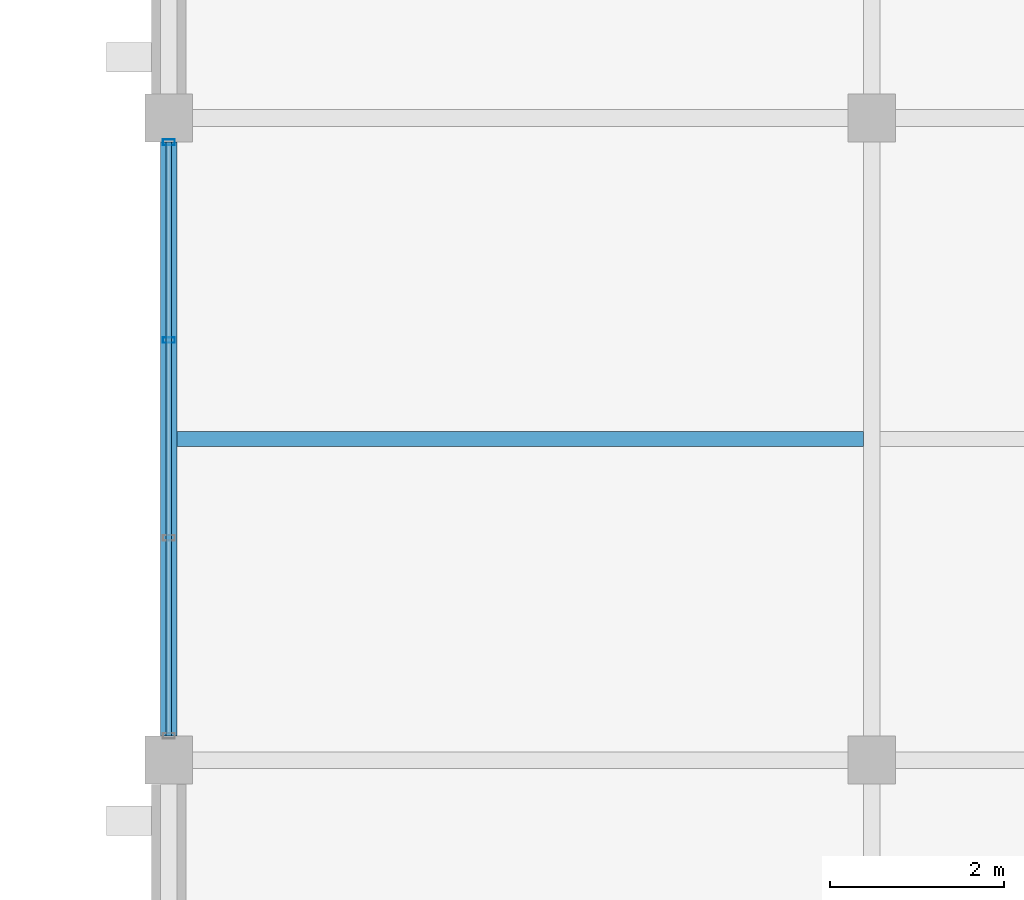
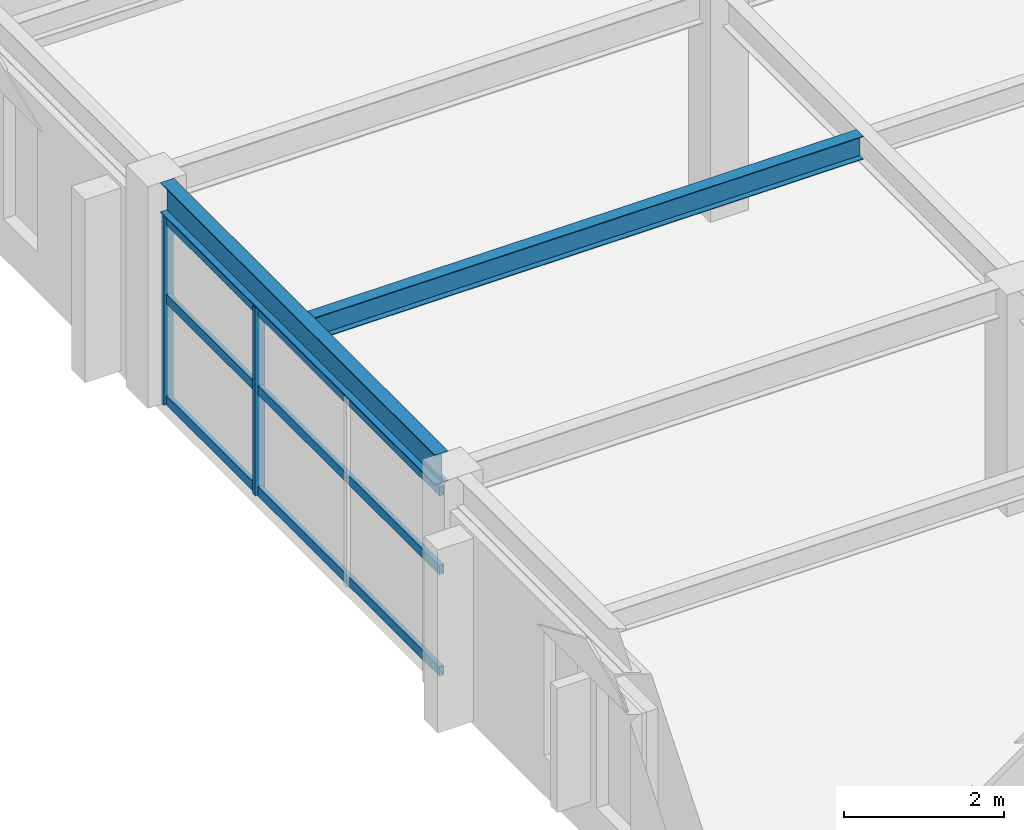
# One storey, part 25 of 93: 5 members, 2 beams, 1 element without a shape of its own.
"""IFC4 building model written with IfcOpenShell, lengths in metres."""

from ifc_helpers import new_model, si_unit, direction, frame, origin, origin_2d, place, context, subcontext, project, spatial, hollow_rectangle, i_section, extrude, material, material_profile, profile_set, type_object, element, aggregate, save


model = new_model("IFC4")

# Units and contexts
model_context = context("Model", 3, precision=1e-05, world=origin(), true_north=direction((0.0, 1.0)))
body_context = subcontext(model_context, "Body", "Model", "MODEL_VIEW")
ifc_project = project(units=[si_unit("LENGTHUNIT", "METRE"), si_unit("AREAUNIT", "SQUARE_METRE"), si_unit("VOLUMEUNIT", "CUBIC_METRE"), si_unit("PLANEANGLEUNIT", "RADIAN"), si_unit("MASSUNIT", "GRAM", prefix="KILO")], contexts=[model_context])

# Site, building, storey
site_placement = place(None, origin())
site = spatial("IfcSite", under=ifc_project, at=site_placement, CompositionType="ELEMENT")
building_placement = place(site_placement, origin())
building = spatial("IfcBuilding", under=site, at=building_placement, Name="Cimatlan Art Gallery", CompositionType="ELEMENT")
storey_placement = place(building_placement, frame((0.0, 0.0, 13.800048828125)))
storey = spatial("IfcBuildingStorey", under=building, at=storey_placement, Name="L03", CompositionType="ELEMENT", Elevation=13.800048828125)

# Beams
ifc_material_1 = material(Name="Steel ASTM A992 Grade 50", Category="steel")
ifc_material_profile_1 = material_profile(ifc_material_1, i_section(OverallWidth=0.1708984375, OverallDepth=0.35107421875, WebThickness=0.0068359375, FlangeThickness=0.009765625, at=origin_2d()), Name="W14X30")
ifc_profile_set_1 = profile_set([ifc_material_profile_1], Name="Steel ASTM A992 Grade 50")
beam_type_1 = type_object("IfcBeamType", Name="BM-STL-W14X30", PredefinedType="JOIST", material=ifc_profile_set_1)
beam_1_placement = place(storey_placement, frame((34.49560546875, 72.0, 3.204345703125), z_axis=(1.0, 0.0, 0.0), x_axis=(0.0, 1.0, 0.0)))
element("IfcBeam", 1, at=beam_1_placement, inside=storey, type_object=beam_type_1, Name="JST-L03-04-09", PredefinedType="JOIST", context=body_context, shape_type="SweptSolid", body=[
    extrude(i_section(OverallWidth=0.1708984375, OverallDepth=0.35107421875, WebThickness=0.0068359375, FlangeThickness=0.009765625, at=origin_2d()), origin(), (0.0, 0.0, 1.0), 7.908935546875),
])
ifc_material_profile_2 = material_profile(ifc_material_1, i_section(OverallWidth=0.19091796875, OverallDepth=0.45703125, WebThickness=0.009033203125, FlangeThickness=0.014404296875, at=origin_2d()), Name="W18X50")
ifc_profile_set_2 = profile_set([ifc_material_profile_2], Name="Steel ASTM A992 Grade 50")
beam_type_2 = type_object("IfcBeamType", Name="BM-STL-W18X50", PredefinedType="BEAM", material=ifc_profile_set_2)
beam_2_placement = place(storey_placement, frame((34.39990234375, 68.574951171875, 3.1513671875), z_axis=(0.0, 1.0, 0.0), x_axis=(-1.0, 0.0, 0.0)))
element("IfcBeam", 2, at=beam_2_placement, inside=storey, type_object=beam_type_2, Name="BM-Y-L03-04-09", PredefinedType="BEAM", context=body_context, shape_type="SweptSolid", body=[
    extrude(i_section(OverallWidth=0.19091796875, OverallDepth=0.45703125, WebThickness=0.009033203125, FlangeThickness=0.014404296875, at=origin_2d()), origin(), (0.0, 0.0, 1.0), 6.85009765625),
])

# Curtain wall, members
ifc_material_2 = material(Name="Anodised bronze unitised curtain wall")
curtain_wall_type = type_object("IfcCurtainWallType", Name="CW-V-06842X02863-B3", PredefinedType="NOTDEFINED", material=ifc_material_2)
curtain_wall_placement = place(storey_placement, origin())
curtain_wall = element("IfcCurtainWall", 3, at=curtain_wall_placement, inside=storey, type_object=curtain_wall_type, Name="CW-L03-04-09-W", PredefinedType="NOTDEFINED")
ifc_material_3 = material(Name="Anodised bronze aluminium 6063-T6", Category="aluminium")
ifc_material_profile_3 = material_profile(ifc_material_3, hollow_rectangle(XDim=0.06494140625, YDim=0.139892578125, WallThickness=0.00390625, at=origin_2d()), Name="ALU65X140X4")
ifc_profile_set_3 = profile_set([ifc_material_profile_3], Name="Anodised bronze aluminium 6063-T6")
member_type_1 = type_object("IfcMemberType", Name="CW-MUL-140", PredefinedType="MULLION", material=ifc_profile_set_3)
member_1_placement = place(storey_placement, frame((34.39990234375, 73.140380859375, 0.0), z_axis=(0.0, 0.0, 1.0), x_axis=(0.0, 1.0, 0.0)))
member_1 = element("IfcMember", 4, at=member_1_placement, type_object=member_type_1, Name="CW-L03-04-09-W-M3", PredefinedType="MULLION", context=body_context, shape_type="SweptSolid", body=[
    extrude(hollow_rectangle(XDim=0.06494140625, YDim=0.139892578125, WallThickness=0.00390625, at=origin_2d()), origin(), (0.0, 0.0, 1.0), 2.863037109375),
])
member_2_placement = place(storey_placement, frame((34.39990234375, 75.4208984375, 0.0), z_axis=(0.0, 0.0, 1.0), x_axis=(0.0, 1.0, 0.0)))
member_2 = element("IfcMember", 5, at=member_2_placement, type_object=member_type_1, Name="CW-L03-04-09-W-M4", PredefinedType="MULLION", context=body_context, shape_type="SweptSolid", body=[
    extrude(hollow_rectangle(XDim=0.06494140625, YDim=0.139892578125, WallThickness=0.00390625, at=origin_2d()), origin(), (0.0, 0.0, 1.0), 2.863037109375),
])
ifc_material_profile_4 = material_profile(ifc_material_3, hollow_rectangle(XDim=0.06494140625, YDim=0.139892578125, WallThickness=0.00390625, at=origin_2d()), Name="ALU65X140X4")
ifc_profile_set_4 = profile_set([ifc_material_profile_4], Name="Anodised bronze aluminium 6063-T6")
member_type_2 = type_object("IfcMemberType", Name="CW-TRN-140", PredefinedType="USERDEFINED", material=ifc_profile_set_4)
member_3_placement = place(storey_placement, frame((34.39990234375, 68.5791015625, 0.06005859375), z_axis=(0.0, 1.0, 0.0), x_axis=(-1.0, 0.0, 0.0)))
member_3 = element("IfcMember", 6, at=member_3_placement, type_object=member_type_2, Name="CW-L03-04-09-W-T1", ObjectType="TRANSOM", PredefinedType="USERDEFINED", context=body_context, shape_type="SweptSolid", body=[
    extrude(hollow_rectangle(XDim=0.06494140625, YDim=0.139892578125, WallThickness=0.00390625, at=origin_2d()), origin(), (0.0, 0.0, 1.0), 6.841796875),
])
member_4_placement = place(storey_placement, frame((34.39990234375, 68.5791015625, 1.603271484375), z_axis=(0.0, 1.0, 0.0), x_axis=(-1.0, 0.0, 0.0)))
member_4 = element("IfcMember", 7, at=member_4_placement, type_object=member_type_2, Name="CW-L03-04-09-W-T2", ObjectType="TRANSOM", PredefinedType="USERDEFINED", context=body_context, shape_type="SweptSolid", body=[
    extrude(hollow_rectangle(XDim=0.06494140625, YDim=0.139892578125, WallThickness=0.00390625, at=origin_2d()), origin(), (0.0, 0.0, 1.0), 6.841796875),
])
member_5_placement = place(storey_placement, frame((34.39990234375, 68.5791015625, 2.802978515625), z_axis=(0.0, 1.0, 0.0), x_axis=(-1.0, 0.0, 0.0)))
member_5 = element("IfcMember", 8, at=member_5_placement, type_object=member_type_2, Name="CW-L03-04-09-W-T3", ObjectType="TRANSOM", PredefinedType="USERDEFINED", context=body_context, shape_type="SweptSolid", body=[
    extrude(hollow_rectangle(XDim=0.06494140625, YDim=0.139892578125, WallThickness=0.00390625, at=origin_2d()), origin(), (0.0, 0.0, 1.0), 6.841796875),
])
aggregate(curtain_wall, [member_1, member_2, member_3, member_4, member_5])

save(model, "model.ifc")
